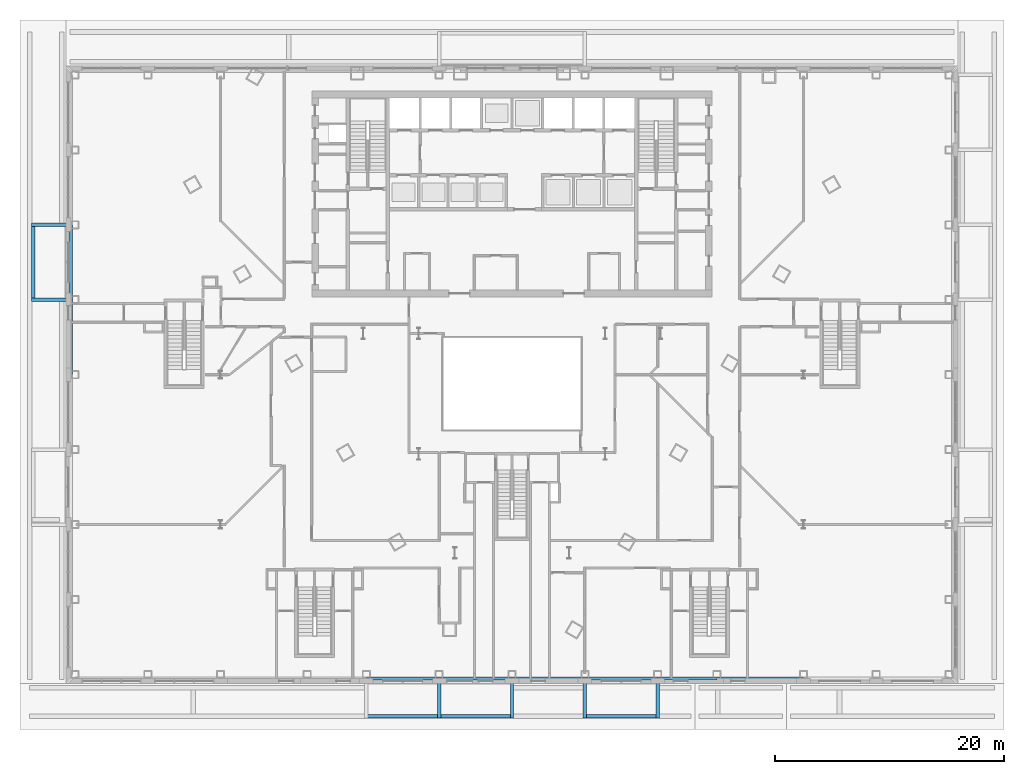
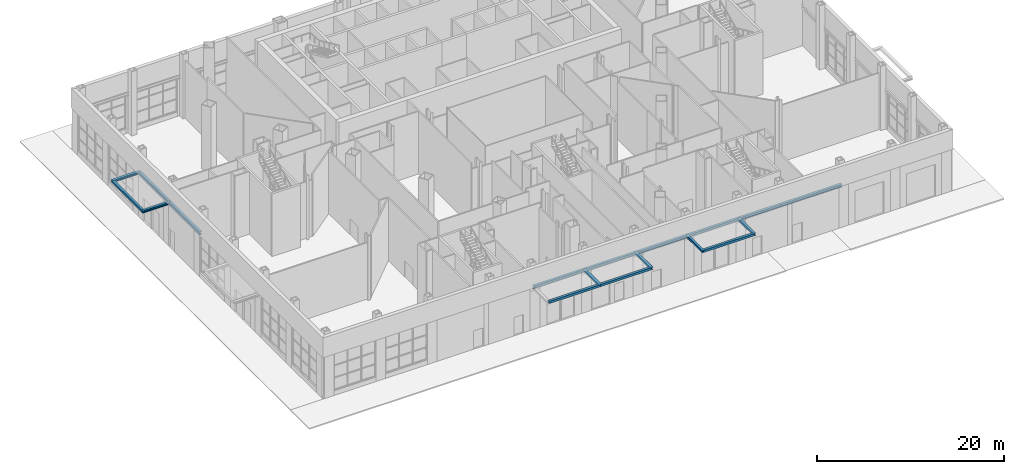
# One storey, part 7 of 34: 18 beams.
"""IFC4 building model written with IfcOpenShell, lengths in metres."""

from ifc_helpers import new_model, si_unit, direction, frame, origin, origin_2d, place, context, subcontext, project, spatial, hollow_rectangle, i_section, extrude, material, material_profile, profile_set, type_object, element, save


model = new_model("IFC4")

# Units and contexts
model_context = context("Model", 3, precision=1e-05, world=origin(), true_north=direction((0.0, 1.0)))
body_context = subcontext(model_context, "Body", "Model", "MODEL_VIEW")
ifc_project = project(units=[si_unit("LENGTHUNIT", "METRE"), si_unit("AREAUNIT", "SQUARE_METRE"), si_unit("VOLUMEUNIT", "CUBIC_METRE"), si_unit("PLANEANGLEUNIT", "RADIAN"), si_unit("MASSUNIT", "GRAM", prefix="KILO")], contexts=[model_context])

# Site, building, storey
site_placement = place(None, origin())
site = spatial("IfcSite", under=ifc_project, at=site_placement, CompositionType="ELEMENT")
building_placement = place(site_placement, origin())
building = spatial("IfcBuilding", under=site, at=building_placement, Name="Njiva Tower", CompositionType="ELEMENT")
storey_placement = place(building_placement, origin())
storey = spatial("IfcBuildingStorey", under=building, at=storey_placement, Name="L00", CompositionType="ELEMENT", Elevation=0.0)

# Beams
ifc_material_1 = material(Name="Steel S355 J2", Category="steel")
ifc_material_profile_1 = material_profile(ifc_material_1, i_section(OverallWidth=0.3, OverallDepth=0.29, WebThickness=0.0085, FlangeThickness=0.014, at=origin_2d()), Name="HEA300")
ifc_profile_set_1 = profile_set([ifc_material_profile_1], Name="Steel S355 J2")
beam_type_1 = type_object("IfcBeamType", Name="B90 Canopy cantilever beam HEA 300", PredefinedType="BEAM", material=ifc_profile_set_1)
for number, where, z_axis, x_axis, name in (
    (1, (-38.55, 6.3, 5.255), (-1.0, 0.0, 0.0), (0.0, -1.0, 0.0), "Canopy beam"),
    (2, (-38.55, -0.25, 5.255), (-1.0, 0.0, 0.0), (0.0, -1.0, 0.0), "Canopy beam"),
    (3, (-6.3667, -33.35, 5.255), (0.0, -1.0, 0.0), (1.0, 0.0, 0.0), "Canopy beam"),
    (4, (0.0, -33.35, 5.255), (0.0, -1.0, 0.0), (1.0, 0.0, 0.0), "Canopy beam"),
    (5, (6.3667, -33.35, 5.255), (0.0, -1.0, 0.0), (1.0, 0.0, 0.0), "Canopy beam"),
    (6, (12.7333, -33.35, 5.255), (0.0, -1.0, 0.0), (1.0, 0.0, 0.0), "Canopy beam"),
):
    element("IfcBeam", number, at=place(storey_placement, frame(where, z_axis=z_axis, x_axis=x_axis)), inside=storey, type_object=beam_type_1, Name=name, PredefinedType="BEAM", context=body_context, shape_type="SweptSolid", body=[
        extrude(i_section(OverallWidth=0.3, OverallDepth=0.29, WebThickness=0.0085, FlangeThickness=0.014, at=origin_2d()), origin(), (0.0, 0.0, 1.0), 3.45),
    ])
ifc_material_2 = material(Name="Steel S355 J2H", Category="steel")
ifc_material_profile_2 = material_profile(ifc_material_2, hollow_rectangle(XDim=0.3, YDim=0.29, WallThickness=0.01, at=origin_2d()), Name="BOX 290x300x10")
ifc_profile_set_2 = profile_set([ifc_material_profile_2], Name="Steel S355 J2H")
beam_type_2 = type_object("IfcBeamType", Name="B91 Canopy tip beam RHS 290x300x10", PredefinedType="BEAM", material=ifc_profile_set_2)
beam_1_placement = place(storey_placement, frame((-41.85, 6.3, 5.255), z_axis=(0.0, -1.0, 0.0), x_axis=(1.0, 0.0, 0.0)))
element("IfcBeam", 7, at=beam_1_placement, inside=storey, type_object=beam_type_2, Name="Canopy tip beam", PredefinedType="BEAM", context=body_context, shape_type="SweptSolid", body=[
    extrude(hollow_rectangle(XDim=0.3, YDim=0.29, WallThickness=0.01, at=origin_2d()), origin(), (0.0, 0.0, 1.0), 6.55),
])
beam_2_placement = place(storey_placement, frame((-12.7333, -36.65, 5.255), z_axis=(1.0, 0.0, 0.0), x_axis=(0.0, 1.0, 0.0)))
element("IfcBeam", 8, at=beam_2_placement, inside=storey, type_object=beam_type_2, Name="Canopy tip beam", PredefinedType="BEAM", context=body_context, shape_type="SweptSolid", body=[
    extrude(hollow_rectangle(XDim=0.3, YDim=0.29, WallThickness=0.01, at=origin_2d()), origin(), (0.0, 0.0, 1.0), 6.3666),
])
beam_3_placement = place(storey_placement, frame((-6.3667, -36.65, 5.255), z_axis=(1.0, 0.0, 0.0), x_axis=(0.0, 1.0, 0.0)))
element("IfcBeam", 9, at=beam_3_placement, inside=storey, type_object=beam_type_2, Name="Canopy tip beam", PredefinedType="BEAM", context=body_context, shape_type="SweptSolid", body=[
    extrude(hollow_rectangle(XDim=0.3, YDim=0.29, WallThickness=0.01, at=origin_2d()), origin(), (0.0, 0.0, 1.0), 6.3667),
])
beam_4_placement = place(storey_placement, frame((6.3667, -36.65, 5.255), z_axis=(1.0, 0.0, 0.0), x_axis=(0.0, 1.0, 0.0)))
element("IfcBeam", 10, at=beam_4_placement, inside=storey, type_object=beam_type_2, Name="Canopy tip beam", PredefinedType="BEAM", context=body_context, shape_type="SweptSolid", body=[
    extrude(hollow_rectangle(XDim=0.3, YDim=0.29, WallThickness=0.01, at=origin_2d()), origin(), (0.0, 0.0, 1.0), 6.3666),
])
ifc_material_profile_3 = material_profile(ifc_material_1, i_section(OverallWidth=0.3, OverallDepth=0.4, WebThickness=0.0135, FlangeThickness=0.024, at=origin_2d()), Name="HEB400")
ifc_profile_set_3 = profile_set([ifc_material_profile_3], Name="Steel S355 J2")
beam_type_3 = type_object("IfcBeamType", Name="B92 Podium lintel beam HEB 400", PredefinedType="BEAM", material=ifc_profile_set_3)
for number, where, z_axis, x_axis, name in (
    (11, (-38.55, 6.3, 5.2), (0.0, -1.0, 0.0), (1.0, 0.0, 0.0), "Podium lintel beam"),
    (12, (-38.55, -0.25, 5.2), (0.0, -1.0, 0.0), (1.0, 0.0, 0.0), "Podium lintel beam"),
):
    element("IfcBeam", number, at=place(storey_placement, frame(where, z_axis=z_axis, x_axis=x_axis)), inside=storey, type_object=beam_type_3, Name=name, PredefinedType="BEAM", context=body_context, shape_type="SweptSolid", body=[
        extrude(i_section(OverallWidth=0.3, OverallDepth=0.4, WebThickness=0.0135, FlangeThickness=0.024, at=origin_2d()), origin(), (0.0, 0.0, 1.0), 6.55),
    ])
beam_5_placement = place(storey_placement, frame((-12.733, -33.35, 5.2), z_axis=(1.0, 0.0, 0.0), x_axis=(0.0, 1.0, 0.0)))
element("IfcBeam", 13, at=beam_5_placement, inside=storey, type_object=beam_type_3, Name="Podium lintel beam", PredefinedType="BEAM", context=body_context, shape_type="SweptSolid", body=[
    extrude(i_section(OverallWidth=0.3, OverallDepth=0.4, WebThickness=0.0135, FlangeThickness=0.024, at=origin_2d()), origin(), (0.0, 0.0, 1.0), 6.366),
])
for number, where, z_axis, x_axis, name in (
    (14, (-6.367, -33.35, 5.2), (1.0, 0.0, 0.0), (0.0, 1.0, 0.0), "Podium lintel beam"),
    (15, (0.0, -33.35, 5.2), (1.0, 0.0, 0.0), (0.0, 1.0, 0.0), "Podium lintel beam"),
):
    element("IfcBeam", number, at=place(storey_placement, frame(where, z_axis=z_axis, x_axis=x_axis)), inside=storey, type_object=beam_type_3, Name=name, PredefinedType="BEAM", context=body_context, shape_type="SweptSolid", body=[
        extrude(i_section(OverallWidth=0.3, OverallDepth=0.4, WebThickness=0.0135, FlangeThickness=0.024, at=origin_2d()), origin(), (0.0, 0.0, 1.0), 6.367),
    ])
beam_6_placement = place(storey_placement, frame((6.367, -33.35, 5.2), z_axis=(1.0, 0.0, 0.0), x_axis=(0.0, 1.0, 0.0)))
element("IfcBeam", 16, at=beam_6_placement, inside=storey, type_object=beam_type_3, Name="Podium lintel beam", PredefinedType="BEAM", context=body_context, shape_type="SweptSolid", body=[
    extrude(i_section(OverallWidth=0.3, OverallDepth=0.4, WebThickness=0.0135, FlangeThickness=0.024, at=origin_2d()), origin(), (0.0, 0.0, 1.0), 6.366),
])
beam_7_placement = place(storey_placement, frame((12.733, -33.35, 5.2), z_axis=(1.0, 0.0, 0.0), x_axis=(0.0, 1.0, 0.0)))
element("IfcBeam", 17, at=beam_7_placement, inside=storey, type_object=beam_type_3, Name="Podium lintel beam", PredefinedType="BEAM", context=body_context, shape_type="SweptSolid", body=[
    extrude(i_section(OverallWidth=0.3, OverallDepth=0.4, WebThickness=0.0135, FlangeThickness=0.024, at=origin_2d()), origin(), (0.0, 0.0, 1.0), 5.167),
])
beam_8_placement = place(storey_placement, frame((17.9, -33.35, 5.2), z_axis=(1.0, 0.0, 0.0), x_axis=(0.0, 1.0, 0.0)))
element("IfcBeam", 18, at=beam_8_placement, inside=storey, type_object=beam_type_3, Name="Podium lintel beam", PredefinedType="BEAM", context=body_context, shape_type="SweptSolid", body=[
    extrude(i_section(OverallWidth=0.3, OverallDepth=0.4, WebThickness=0.0135, FlangeThickness=0.024, at=origin_2d()), origin(), (0.0, 0.0, 1.0), 7.567),
])

save(model, "model.ifc")
